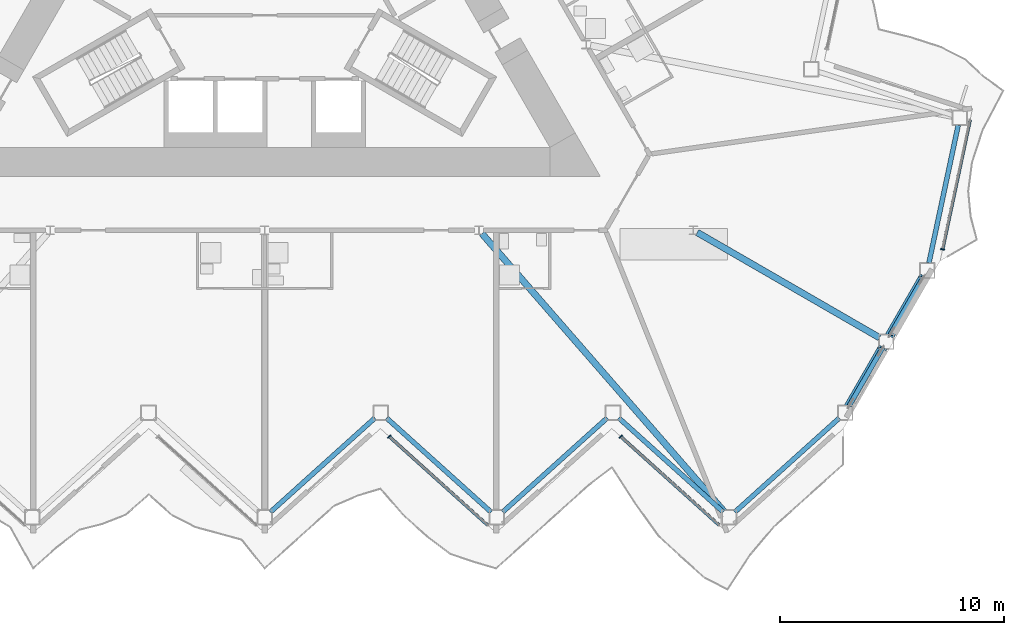
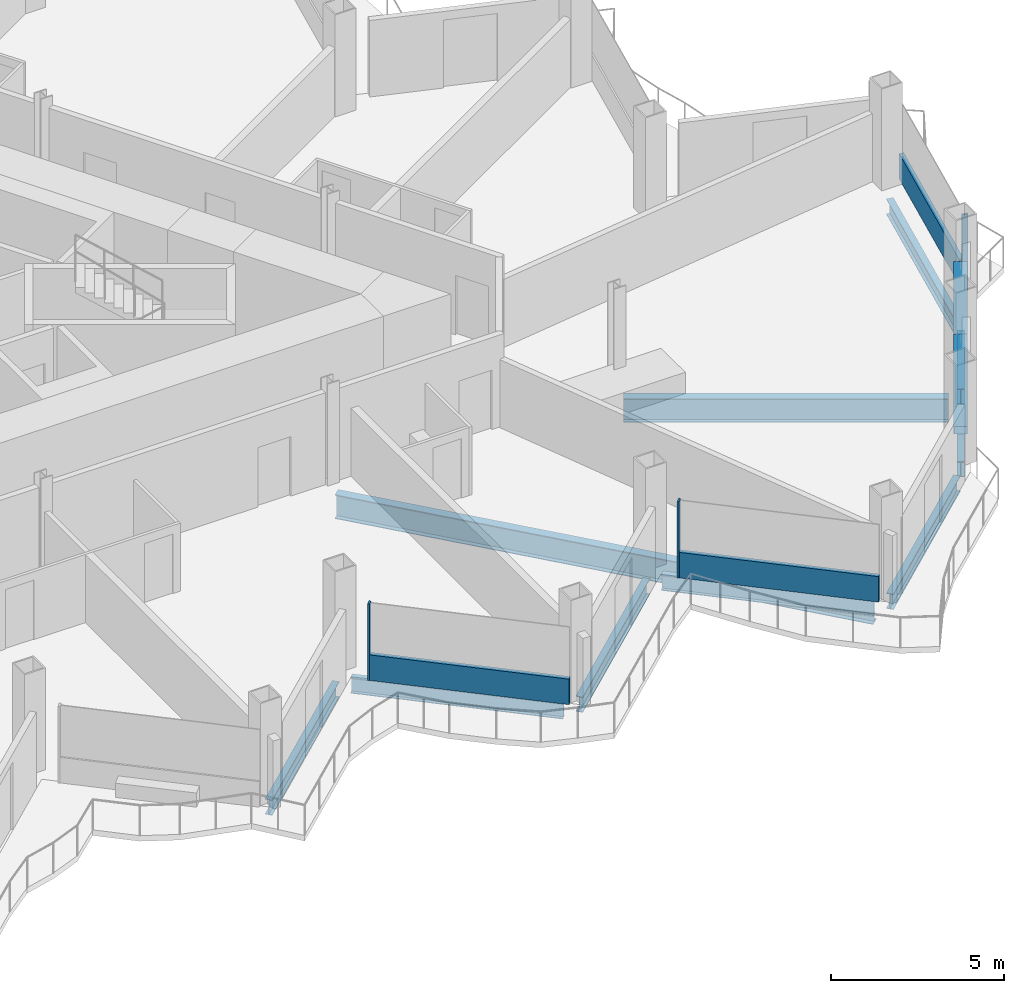
# One storey, part 6 of 24: 10 beams, 8 members, 3 elements without a shape of their own.
"""IFC4 building model written with IfcOpenShell, lengths in metres."""

from ifc_helpers import new_model, si_unit, direction, frame, origin, origin_2d, place, context, subcontext, project, spatial, rectangle, hollow_rectangle, i_section, extrude, material, layer, layer_set, material_profile, profile_set, type_object, element, aggregate, save


model = new_model("IFC4")

# Units and contexts
model_context = context("Model", 3, precision=1e-05, world=origin(), true_north=direction((0.0, 1.0)))
body_context = subcontext(model_context, "Body", "Model", "MODEL_VIEW")
ifc_project = project(units=[si_unit("LENGTHUNIT", "METRE"), si_unit("AREAUNIT", "SQUARE_METRE"), si_unit("VOLUMEUNIT", "CUBIC_METRE"), si_unit("PLANEANGLEUNIT", "RADIAN"), si_unit("MASSUNIT", "GRAM", prefix="KILO")], contexts=[model_context])

# Site, building, storey
site_placement = place(None, origin())
site = spatial("IfcSite", under=ifc_project, at=site_placement, CompositionType="ELEMENT")
building_placement = place(site_placement, origin())
building = spatial("IfcBuilding", under=site, at=building_placement, Name="Cormorant Prow Tower", CompositionType="ELEMENT")
storey_placement = place(building_placement, frame((0.0, 0.0, 238.199951171875)))
storey = spatial("IfcBuildingStorey", under=building, at=storey_placement, Name="L52", CompositionType="ELEMENT", Elevation=238.199951171875)

# Members
ifc_material_1 = material(Name="Structural steel ASTM A500 Gr C", Category="steel")
ifc_material_profile_1 = material_profile(ifc_material_1, hollow_rectangle(XDim=0.406494140625, YDim=0.406494140625, WallThickness=0.01171875, at=origin_2d()), Name="HSS16x16x1/2")
ifc_profile_set_1 = profile_set([ifc_material_profile_1], Name="Structural steel ASTM A500 Gr C")
member_type_1 = type_object("IfcMemberType", Name="Chamfer brace HSS16x16x1/2", PredefinedType="BRACE", material=ifc_profile_set_1)
for number, where, z_axis, x_axis, name in (
    (1, (26.1240234375, -18.898681640625, 0.74951171875), (0.462773096913, 0.801606962687, 0.378506721399), (-0.866041729639, 0.499971721724, 0.0), "Chamfer brace BR2 at ESE00 L52"),
    (2, (27.959228515625, -15.719970703125, 0.74951171875), (0.462773096913, 0.801606962687, 0.378506721399), (-0.866041729639, 0.499971721724, 0.0), "Chamfer brace BR2 at ESE01 L52"),
):
    element("IfcMember", number, at=place(storey_placement, frame(where, z_axis=z_axis, x_axis=x_axis)), inside=storey, type_object=member_type_1, Name=name, PredefinedType="BRACE", context=body_context, shape_type="SweptSolid", body=[
        extrude(hollow_rectangle(XDim=0.406494140625, YDim=0.406494140625, WallThickness=0.01171875, at=origin_2d()), origin(), (0.0, 0.0, 1.0), 3.17529296875),
    ])

# Curtain wall, member
ifc_material_2 = material(Name="Aluminium 6063-T6", Category="aluminium")
ifc_layer = layer(ifc_material_2, 0.179931640625)
ifc_layer_set = layer_set([ifc_layer], Name="Aluminium 6063-T6")
curtain_wall_type = type_object("IfcCurtainWallType", Name="Hotel unitised curtain wall 180", PredefinedType="NOTDEFINED", material=ifc_layer_set)
curtain_wall_1_placement = place(storey_placement, origin())
curtain_wall_1 = element("IfcCurtainWall", 3, at=curtain_wall_1_placement, inside=storey, type_object=curtain_wall_type, Name="Hotel curtain wall S06", PredefinedType="NOTDEFINED")
ifc_material_3 = material(Name="Aluminium 6063-T6", Category="aluminium")
ifc_material_profile_2 = material_profile(ifc_material_3, rectangle(XDim=0.179931640625, YDim=0.06005859375, at=origin_2d()), Name="Hotel mullion 60x180")
ifc_profile_set_2 = profile_set([ifc_material_profile_2], Name="Aluminium 6063-T6")
member_type_2 = type_object("IfcMemberType", Name="Hotel mullion 60x180", PredefinedType="MULLION", material=ifc_profile_set_2)
member_1_placement = place(storey_placement, frame((5.56640625, -20.278076171875, 0.0), z_axis=(0.0, 0.0, 1.0), x_axis=(0.669130639913, 0.743144795265, 0.0)))
member_1 = element("IfcMember", 4, at=member_1_placement, type_object=member_type_2, Name="Hotel mullion S06", PredefinedType="MULLION", context=body_context, shape_type="SweptSolid", body=[
    extrude(rectangle(XDim=0.179931640625, YDim=0.06005859375, at=origin_2d()), origin(), (0.0, 0.0, 1.0), 2.700927734375),
])

curtain_wall_2_placement = place(storey_placement, origin())
curtain_wall_2 = element("IfcCurtainWall", 5, at=curtain_wall_2_placement, inside=storey, type_object=curtain_wall_type, Name="Hotel curtain wall S08", PredefinedType="NOTDEFINED")
member_2_placement = place(storey_placement, frame((15.910400390625, -20.278076171875, 0.0), z_axis=(0.0, 0.0, 1.0), x_axis=(0.669130568473, 0.74314485959, 0.0)))
member_2 = element("IfcMember", 6, at=member_2_placement, type_object=member_type_2, Name="Hotel mullion S08", PredefinedType="MULLION", context=body_context, shape_type="SweptSolid", body=[
    extrude(rectangle(XDim=0.179931640625, YDim=0.06005859375, at=origin_2d()), origin(), (0.0, 0.0, 1.0), 2.700927734375),
])

curtain_wall_3_placement = place(storey_placement, origin())
curtain_wall_3 = element("IfcCurtainWall", 7, at=curtain_wall_3_placement, inside=storey, type_object=curtain_wall_type, Name="Hotel curtain wall ENE00", PredefinedType="NOTDEFINED")
member_3_placement = place(storey_placement, frame((30.2939453125, -11.9140625, 0.0), z_axis=(0.0, 0.0, 1.0), x_axis=(-0.978147610241, 0.207911646089, 0.0)))
member_3 = element("IfcMember", 8, at=member_3_placement, type_object=member_type_2, Name="Hotel mullion ENE00", PredefinedType="MULLION", context=body_context, shape_type="SweptSolid", body=[
    extrude(rectangle(XDim=0.179931640625, YDim=0.06005859375, at=origin_2d()), origin(), (0.0, 0.0, 1.0), 2.700927734375),
])

# Member
ifc_material_4 = material(Name="Terracotta", Category="masonry")
ifc_material_profile_3 = material_profile(ifc_material_4, rectangle(XDim=0.139892578125, YDim=0.89990234375, at=origin_2d()), Name="Hotel terracotta spandrel rail 140x900")
ifc_profile_set_3 = profile_set([ifc_material_profile_3], Name="Terracotta")
member_type_3 = type_object("IfcMemberType", Name="Hotel terracotta spandrel rail 140x900", PredefinedType="USERDEFINED", material=ifc_profile_set_3)
member_4_placement = place(storey_placement, frame((5.5888671875, -20.29833984375, 0.449951171875), z_axis=(0.743147975104, -0.669127108328, 0.0), x_axis=(0.669127108328, 0.743147975104, 0.0)))
member_4 = element("IfcMember", 9, at=member_4_placement, type_object=member_type_3, Name="Hotel spandrel rail S06", ObjectType="TRANSOM", PredefinedType="USERDEFINED", context=body_context, shape_type="SweptSolid", body=[
    extrude(rectangle(XDim=0.139892578125, YDim=0.89990234375, at=origin_2d()), origin(), (0.0, 0.0, 1.0), 5.897216796875),
])

aggregate(curtain_wall_1, [member_1, member_4])

member_5_placement = place(storey_placement, frame((15.9326171875, -20.29833984375, 0.449951171875), z_axis=(0.743147975104, -0.669127108328, 0.0), x_axis=(0.669127108328, 0.743147975104, 0.0)))
member_5 = element("IfcMember", 10, at=member_5_placement, type_object=member_type_3, Name="Hotel spandrel rail S08", ObjectType="TRANSOM", PredefinedType="USERDEFINED", context=body_context, shape_type="SweptSolid", body=[
    extrude(rectangle(XDim=0.139892578125, YDim=0.89990234375, at=origin_2d()), origin(), (0.0, 0.0, 1.0), 5.897216796875),
])

aggregate(curtain_wall_2, [member_2, member_5])

member_6_placement = place(storey_placement, frame((30.300048828125, -11.884765625, 0.449951171875), z_axis=(0.207900345408, 0.978150012206, 0.0), x_axis=(-0.978150012206, 0.207900345408, 0.0)))
member_6 = element("IfcMember", 11, at=member_6_placement, type_object=member_type_3, Name="Hotel spandrel rail ENE00", ObjectType="TRANSOM", PredefinedType="USERDEFINED", context=body_context, shape_type="SweptSolid", body=[
    extrude(rectangle(XDim=0.139892578125, YDim=0.89990234375, at=origin_2d()), origin(), (0.0, 0.0, 1.0), 5.8974609375),
])

aggregate(curtain_wall_3, [member_3, member_6])

# Beams
ifc_material_5 = material(Name="Structural steel ASTM A992 Gr 50", Category="steel")
ifc_material_profile_4 = material_profile(ifc_material_5, i_section(OverallWidth=0.29296875, OverallDepth=0.845703125, WebThickness=0.015380859375, FlangeThickness=0.0244140625, at=origin_2d()), Name="W33x141")
ifc_profile_set_4 = profile_set([ifc_material_profile_4], Name="Structural steel ASTM A992 Gr 50")
beam_type_1 = type_object("IfcBeamType", Name="Radial floor beam W33x141", PredefinedType="BEAM", material=ifc_profile_set_4)
beam_1_placement = place(storey_placement, frame((9.70947265625, -11.210693359375, -0.77294921875), z_axis=(0.656874593387, -0.753999846527, 0.0), x_axis=(0.753999846527, 0.656874593387, 0.0)))
element("IfcBeam", 12, at=beam_1_placement, inside=storey, type_object=beam_type_1, Name="Radial floor beam FB2 8 L52", PredefinedType="BEAM", context=body_context, shape_type="SweptSolid", body=[
    extrude(i_section(OverallWidth=0.29296875, OverallDepth=0.845703125, WebThickness=0.015380859375, FlangeThickness=0.0244140625, at=origin_2d()), origin(), (0.0, 0.0, 1.0), 16.4619140625),
])
beam_2_placement = place(storey_placement, frame((19.32958984375, -11.159912109375, -0.77294921875), z_axis=(0.866021726843, -0.500006368596, 0.0), x_axis=(0.500006368596, 0.866021726843, 0.0)))
element("IfcBeam", 13, at=beam_2_placement, inside=storey, type_object=beam_type_1, Name="Radial floor beam FB2 9 L52", PredefinedType="BEAM", context=body_context, shape_type="SweptSolid", body=[
    extrude(i_section(OverallWidth=0.29296875, OverallDepth=0.845703125, WebThickness=0.015380859375, FlangeThickness=0.0244140625, at=origin_2d()), origin(), (0.0, 0.0, 1.0), 9.40380859375),
])
ifc_material_6 = material(Name="Structural steel ASTM A992 Gr 50", Category="steel")
ifc_material_profile_5 = material_profile(ifc_material_6, i_section(OverallWidth=0.2138671875, OverallDepth=0.549072265625, WebThickness=0.0146484375, FlangeThickness=0.023681640625, at=origin_2d()), Name="W21x93")
ifc_profile_set_5 = profile_set([ifc_material_profile_5], Name="Structural steel ASTM A992 Gr 50")
beam_type_2 = type_object("IfcBeamType", Name="Spandrel beam W21x93", PredefinedType="SPANDREL", material=ifc_profile_set_5)
for number, where, z_axis, x_axis, name in (
    (14, (0.260009765625, -23.65283203125, -0.62451171875), (0.743156918576, 0.669117175368, 0.0), (-0.669117175368, 0.743156918576, 0.0), "Spandrel beam SB2 S05-S06 L52"),
    (15, (5.4482421875, -19.44970703125, -0.62451171875), (0.743156918576, -0.669117175368, 0.0), (0.669117175368, 0.743156918576, 0.0), "Spandrel beam SB2 S06-S07 L52"),
    (16, (10.636474609375, -23.65283203125, -0.62451171875), (0.743156918576, 0.669117175368, 0.0), (-0.669117175368, 0.743156918576, 0.0), "Spandrel beam SB2 S07-S08 L52"),
    (17, (15.82470703125, -19.44970703125, -0.62451171875), (0.743156918576, -0.669117175368, 0.0), (0.669117175368, 0.743156918576, 0.0), "Spandrel beam SB2 S08-S09 L52"),
    (18, (21.012939453125, -23.65283203125, -0.62451171875), (0.743156918576, 0.669117175368, 0.0), (-0.669117175368, 0.743156918576, 0.0), "Spandrel beam SB2 S09-ESE00 L52"),
):
    element("IfcBeam", number, at=place(storey_placement, frame(where, z_axis=z_axis, x_axis=x_axis)), inside=storey, type_object=beam_type_2, Name=name, PredefinedType="SPANDREL", context=body_context, shape_type="SweptSolid", body=[
        extrude(i_section(OverallWidth=0.2138671875, OverallDepth=0.549072265625, WebThickness=0.0146484375, FlangeThickness=0.023681640625, at=origin_2d()), origin(), (0.0, 0.0, 1.0), 6.281494140625),
    ])
for number, where, z_axis, x_axis, name in (
    (19, (26.1162109375, -18.912353515625, -0.62451171875), (0.499966725515, 0.866044613965, 0.0), (-0.866044613965, 0.499966725515, 0.0), "Spandrel beam SB2 ESE00-ESE01 L52"),
    (20, (27.951416015625, -15.733642578125, -0.62451171875), (0.499966725515, 0.866044613965, 0.0), (-0.866044613965, 0.499966725515, 0.0), "Spandrel beam SB2 ESE01-ENE00 L52"),
):
    element("IfcBeam", number, at=place(storey_placement, frame(where, z_axis=z_axis, x_axis=x_axis)), inside=storey, type_object=beam_type_2, Name=name, PredefinedType="SPANDREL", context=body_context, shape_type="SweptSolid", body=[
        extrude(i_section(OverallWidth=0.2138671875, OverallDepth=0.549072265625, WebThickness=0.0146484375, FlangeThickness=0.023681640625, at=origin_2d()), origin(), (0.0, 0.0, 1.0), 2.970458984375),
    ])
beam_3_placement = place(storey_placement, frame((29.684326171875, -12.515625, -0.62451171875), z_axis=(0.207941499013, 0.978141264331, 0.0), x_axis=(-0.978141264331, 0.207941499013, 0.0)))
element("IfcBeam", 21, at=beam_3_placement, inside=storey, type_object=beam_type_2, Name="Spandrel beam SB2 ENE00-ENE01 L52", PredefinedType="SPANDREL", context=body_context, shape_type="SweptSolid", body=[
    extrude(i_section(OverallWidth=0.2138671875, OverallDepth=0.549072265625, WebThickness=0.0146484375, FlangeThickness=0.023681640625, at=origin_2d()), origin(), (0.0, 0.0, 1.0), 6.28125),
])

save(model, "model.ifc")
